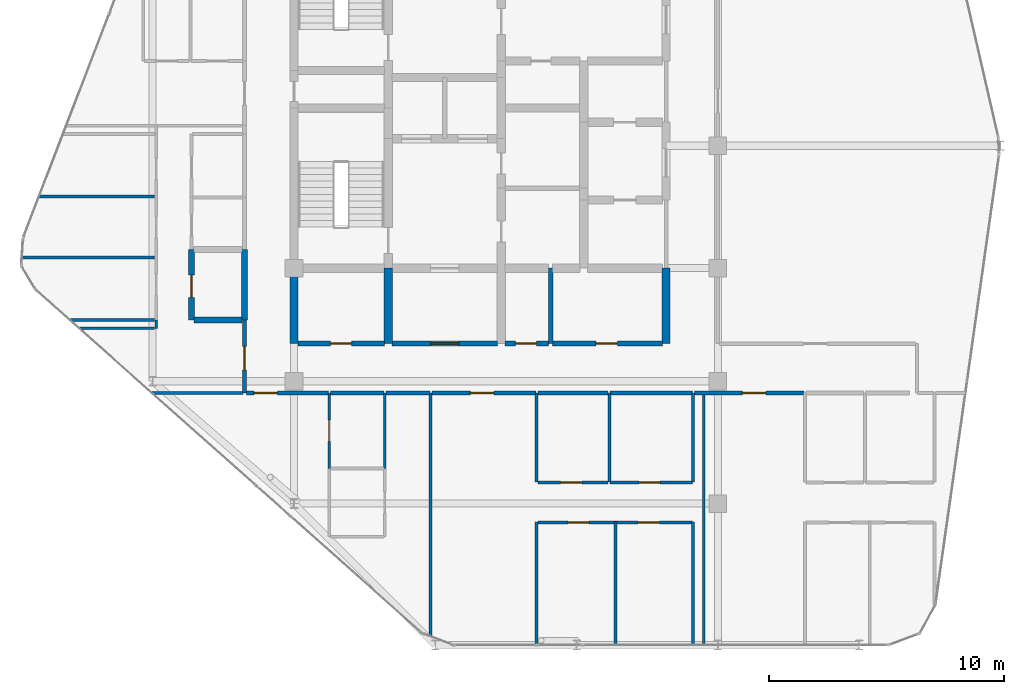
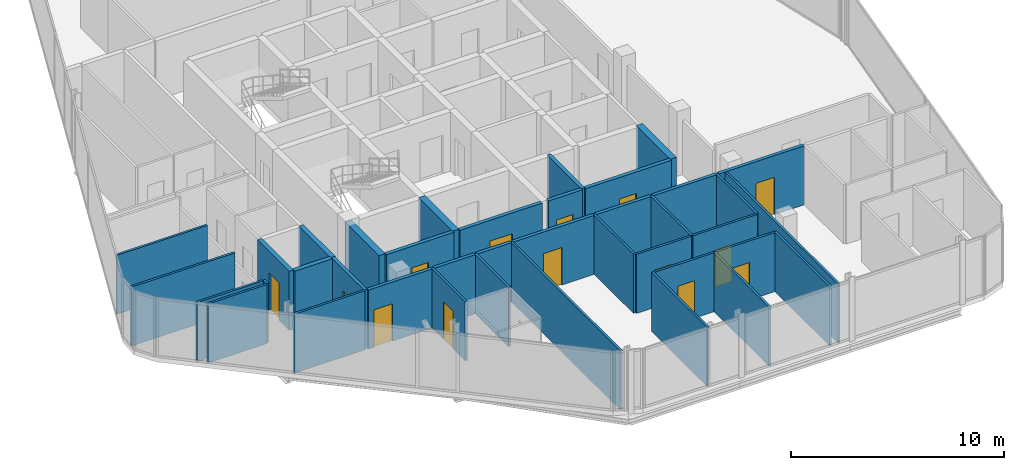
# One storey, part 22 of 27: 38 walls, 14 doors, 14 openings.
"""IFC4 building model written with IfcOpenShell, lengths in metres."""

from ifc_helpers import new_model, si_unit, direction, frame, frame_2d, origin, place, context, subcontext, project, spatial, rectangle, extrude, material, layer, layer_set, type_object, element, fill, save


model = new_model("IFC4")

# Units and contexts
model_context = context("Model", 3, precision=1e-05, world=origin(), true_north=direction((0.0, 1.0)))
body_context = subcontext(model_context, "Body", "Model", "MODEL_VIEW")
ifc_project = project(units=[si_unit("LENGTHUNIT", "METRE"), si_unit("AREAUNIT", "SQUARE_METRE"), si_unit("VOLUMEUNIT", "CUBIC_METRE"), si_unit("PLANEANGLEUNIT", "RADIAN"), si_unit("MASSUNIT", "GRAM", prefix="KILO")], contexts=[model_context])

# Site, building, storey
site_placement = place(None, origin())
site = spatial("IfcSite", under=ifc_project, at=site_placement, CompositionType="ELEMENT")
building_placement = place(site_placement, origin())
building = spatial("IfcBuilding", under=site, at=building_placement, Name="Keshet Zoharim Tower", CompositionType="ELEMENT")
storey_placement = place(building_placement, frame((0.0, 0.0, 254.699951171875)))
storey = spatial("IfcBuildingStorey", under=building, at=storey_placement, Name="L63", CompositionType="ELEMENT", Elevation=254.699951171875)

# Walls
ifc_material_1 = material(Name="Concrete C60/75", Category="concrete")
ifc_layer_1 = layer(ifc_material_1, 0.35009765625)
ifc_layer_set_1 = layer_set([ifc_layer_1], Name="Concrete C60/75")
wall_type_1 = type_object("IfcWallType", Name="WL-CORE-350", PredefinedType="SHEAR", material=ifc_layer_set_1)
for number, where, z_axis, x_axis, name in (
    (1, (15.0, 19.5, 0.0), (0.0, 0.0, 1.0), (0.0, 1.0, 0.0), "L63 Core Shear Wall 018"),
    (2, (19.0, 19.5, 0.0), (0.0, 0.0, 1.0), (0.0, 1.0, 0.0), "L63 Core Shear Wall 026"),
    (3, (30.800048828125, 19.5, 0.0), (0.0, 0.0, 1.0), (0.0, 1.0, 0.0), "L63 Core Shear Wall 054"),
):
    element("IfcWall", number, at=place(storey_placement, frame(where, z_axis=z_axis, x_axis=x_axis)), inside=storey, type_object=wall_type_1, Name=name, PredefinedType="SHEAR", context=body_context, shape_type="SweptSolid", body=[
        extrude(rectangle(XDim=3.199951171875, YDim=0.35009765625, at=frame_2d((1.60009765625, 0.0))), origin(), (0.0, 0.0, 1.0), 3.39013671875),
    ])

# Wall, opening, door
ifc_material_2 = material(Name="Gypsum Plasterboard", Category="gypsum")
ifc_layer_2 = layer(ifc_material_2, 0.179931640625)
ifc_layer_set_2 = layer_set([ifc_layer_2], Name="Gypsum Plasterboard")
wall_type_2 = type_object("IfcWallType", Name="WL-CORR-180", PredefinedType="STANDARD", material=ifc_layer_set_2)
wall_1_placement = place(storey_placement, frame((12.89990234375, 17.39990234375, 0.0), z_axis=(0.0, 0.0, 1.0), x_axis=(0.0, 1.0, 0.0)))
wall_1 = element("IfcWall", 4, at=wall_1_placement, inside=storey, type_object=wall_type_2, Name="L63 Interior Wall 009", PredefinedType="STANDARD", context=body_context, shape_type="SweptSolid", body=[
    extrude(rectangle(XDim=3.10009765625, YDim=0.179931640625, at=frame_2d((1.550048828125, 0.0))), origin(), (0.0, 0.0, 1.0), 3.39013671875),
])
opening_1_placement = place(wall_1_placement, frame((0.97802734375, 0.0, 0.0)))
opening_1 = element("IfcOpeningElement", 5, at=opening_1_placement, cuts=wall_1, Name="Opening D-F310", PredefinedType="OPENING", context=body_context, shape_type="SweptSolid", body=[
    extrude(rectangle(XDim=1.0, YDim=2.14990234375, at=frame_2d((0.5, 1.074951171875))), frame((0.0, 0.10009765625, 0.0), z_axis=(0.0, -1.0, 0.0), x_axis=(1.0, 0.0, 0.0)), (0.0, 0.0, 1.0), 0.199951171875),
])
ifc_material_3 = material(Name="Hardwood Timber", Category="wood")
door_type_1 = type_object("IfcDoorType", Name="DR-FD30-100", OperationType="NOTDEFINED", PredefinedType="DOOR", material=ifc_material_3)
door_1_placement = place(opening_1_placement, origin())
door_1 = element("IfcDoor", 6, at=door_1_placement, inside=storey, type_object=door_type_1, Name="Apartment 6305 Entrance Door", OperationType="SINGLE_SWING_LEFT", OverallHeight=2.14990234375, OverallWidth=1.0, PredefinedType="DOOR", context=body_context, shape_type="SweptSolid", body=[
    extrude(rectangle(XDim=1.0, YDim=2.14990234375, at=frame_2d((0.5, 1.074951171875))), frame((0.0, 0.02490234375, 0.0), z_axis=(0.0, -1.0, 0.0), x_axis=(1.0, 0.0, 0.0)), (0.0, 0.0, 1.0), 0.050048828125),
])
fill(opening_1, door_1)

wall_2_placement = place(storey_placement, frame((12.97509765625, 17.39990234375, 0.0), z_axis=(0.0, 0.0, 1.0), x_axis=(1.0, 0.0, 0.0)))
wall_2 = element("IfcWall", 7, at=wall_2_placement, inside=storey, type_object=wall_type_2, Name="L63 Interior Wall 081", PredefinedType="STANDARD", context=body_context, shape_type="SweptSolid", body=[
    extrude(rectangle(XDim=3.489990234375, YDim=0.179931640625, at=frame_2d((1.7451171875, 0.0))), origin(), (0.0, 0.0, 1.0), 3.39013671875),
])
opening_2_placement = place(wall_2_placement, frame((0.31591796875, 0.0, 0.0)))
opening_2 = element("IfcOpeningElement", 8, at=opening_2_placement, cuts=wall_2, Name="Opening D-F310", PredefinedType="OPENING", context=body_context, shape_type="SweptSolid", body=[
    extrude(rectangle(XDim=1.0, YDim=2.14990234375, at=frame_2d((0.5, 1.074951171875))), frame((0.0, 0.10009765625, 0.0), z_axis=(0.0, -1.0, 0.0), x_axis=(1.0, 0.0, 0.0)), (0.0, 0.0, 1.0), 0.199951171875),
])
door_2_placement = place(opening_2_placement, origin())
door_2 = element("IfcDoor", 9, at=door_2_placement, inside=storey, type_object=door_type_1, Name="Apartment 6301 Entrance Door", OperationType="SINGLE_SWING_LEFT", OverallHeight=2.14990234375, OverallWidth=1.0, PredefinedType="DOOR", context=body_context, shape_type="SweptSolid", body=[
    extrude(rectangle(XDim=1.0, YDim=2.14990234375, at=frame_2d((0.5, 1.074951171875))), frame((0.0, 0.02490234375, 0.0), z_axis=(0.0, -1.0, 0.0), x_axis=(1.0, 0.0, 0.0)), (0.0, 0.0, 1.0), 0.050048828125),
])
fill(opening_2, door_2)

# Walls
wall_3_placement = place(storey_placement, frame((16.554931640625, 17.39990234375, 0.0), z_axis=(0.0, 0.0, 1.0), x_axis=(1.0, 0.0, 0.0)))
element("IfcWall", 10, at=wall_3_placement, inside=storey, type_object=wall_type_2, Name="L63 Interior Wall 082", PredefinedType="STANDARD", context=body_context, shape_type="SweptSolid", body=[
    extrude(rectangle(XDim=2.260009765625, YDim=0.179931640625, at=frame_2d((1.1298828125, 0.0))), origin(), (0.0, 0.0, 1.0), 3.39013671875),
])
wall_4_placement = place(storey_placement, frame((18.905029296875, 17.39990234375, 0.0), z_axis=(0.0, 0.0, 1.0), x_axis=(1.0, 0.0, 0.0)))
element("IfcWall", 11, at=wall_4_placement, inside=storey, type_object=wall_type_2, Name="L63 Interior Wall 083", PredefinedType="STANDARD", context=body_context, shape_type="SweptSolid", body=[
    extrude(rectangle(XDim=1.85986328125, YDim=0.179931640625, at=frame_2d((0.929931640625, 0.0))), origin(), (0.0, 0.0, 1.0), 3.39013671875),
])

# Wall, opening, door
wall_5_placement = place(storey_placement, frame((20.85498046875, 17.39990234375, 0.0), z_axis=(0.0, 0.0, 1.0), x_axis=(1.0, 0.0, 0.0)))
wall_5 = element("IfcWall", 12, at=wall_5_placement, inside=storey, type_object=wall_type_2, Name="L63 Interior Wall 084", PredefinedType="STANDARD", context=body_context, shape_type="SweptSolid", body=[
    extrude(rectangle(XDim=4.419921875, YDim=0.179931640625, at=frame_2d((2.2099609375, 0.0))), origin(), (0.0, 0.0, 1.0), 3.39013671875),
])
opening_3_placement = place(wall_5_placement, frame((1.637939453125, 0.0, 0.0)))
opening_3 = element("IfcOpeningElement", 13, at=opening_3_placement, cuts=wall_5, Name="Opening D-F310", PredefinedType="OPENING", context=body_context, shape_type="SweptSolid", body=[
    extrude(rectangle(XDim=1.0, YDim=2.14990234375, at=frame_2d((0.5, 1.074951171875))), frame((0.0, 0.10009765625, 0.0), z_axis=(0.0, -1.0, 0.0), x_axis=(1.0, 0.0, 0.0)), (0.0, 0.0, 1.0), 0.199951171875),
])
door_3_placement = place(opening_3_placement, origin())
door_3 = element("IfcDoor", 14, at=door_3_placement, inside=storey, type_object=door_type_1, Name="Apartment 6302 Entrance Door", OperationType="SINGLE_SWING_RIGHT", OverallHeight=2.14990234375, OverallWidth=1.0, PredefinedType="DOOR", context=body_context, shape_type="SweptSolid", body=[
    extrude(rectangle(XDim=1.0, YDim=2.14990234375, at=frame_2d((0.5, 1.074951171875))), frame((0.0, 0.02490234375, 0.0), z_axis=(0.0, -1.0, 0.0), x_axis=(1.0, 0.0, 0.0)), (0.0, 0.0, 1.0), 0.050048828125),
])
fill(opening_3, door_3)

# Walls
wall_6_placement = place(storey_placement, frame((25.364990234375, 17.39990234375, 0.0), z_axis=(0.0, 0.0, 1.0), x_axis=(1.0, 0.0, 0.0)))
element("IfcWall", 15, at=wall_6_placement, inside=storey, type_object=wall_type_2, Name="L63 Interior Wall 085", PredefinedType="STANDARD", context=body_context, shape_type="SweptSolid", body=[
    extrude(rectangle(XDim=2.968994140625, YDim=0.179931640625, at=frame_2d((1.484375, 0.0))), origin(), (0.0, 0.0, 1.0), 3.39013671875),
])
wall_7_placement = place(storey_placement, frame((28.424072265625, 17.39990234375, 0.0), z_axis=(0.0, 0.0, 1.0), x_axis=(1.0, 0.0, 0.0)))
element("IfcWall", 16, at=wall_7_placement, inside=storey, type_object=wall_type_2, Name="L63 Interior Wall 086", PredefinedType="STANDARD", context=body_context, shape_type="SweptSolid", body=[
    extrude(rectangle(XDim=3.5009765625, YDim=0.179931640625, at=frame_2d((1.75048828125, 0.0))), origin(), (0.0, 0.0, 1.0), 3.39013671875),
])

# Wall, opening, door
wall_8_placement = place(storey_placement, frame((32.014892578125, 17.39990234375, 0.0), z_axis=(0.0, 0.0, 1.0), x_axis=(1.0, 0.0, 0.0)))
wall_8 = element("IfcWall", 17, at=wall_8_placement, inside=storey, type_object=wall_type_2, Name="L63 Interior Wall 087", PredefinedType="STANDARD", context=body_context, shape_type="SweptSolid", body=[
    extrude(rectangle(XDim=4.64013671875, YDim=0.179931640625, at=frame_2d((2.320068359375, 0.0))), origin(), (0.0, 0.0, 1.0), 3.39013671875),
])
opening_4_placement = place(wall_8_placement, frame((2.02001953125, 0.0, 0.0)))
opening_4 = element("IfcOpeningElement", 18, at=opening_4_placement, cuts=wall_8, Name="Opening D-F310", PredefinedType="OPENING", context=body_context, shape_type="SweptSolid", body=[
    extrude(rectangle(XDim=1.0, YDim=2.14990234375, at=frame_2d((0.5, 1.074951171875))), frame((0.0, 0.10009765625, 0.0), z_axis=(0.0, -1.0, 0.0), x_axis=(1.0, 0.0, 0.0)), (0.0, 0.0, 1.0), 0.199951171875),
])
door_4_placement = place(opening_4_placement, origin())
door_4 = element("IfcDoor", 19, at=door_4_placement, inside=storey, type_object=door_type_1, Name="Apartment 6303 Entrance Door", OperationType="SINGLE_SWING_LEFT", OverallHeight=2.14990234375, OverallWidth=1.0, PredefinedType="DOOR", context=body_context, shape_type="SweptSolid", body=[
    extrude(rectangle(XDim=1.0, YDim=2.14990234375, at=frame_2d((0.5, 1.074951171875))), frame((0.0, 0.02490234375, 0.0), z_axis=(0.0, -1.0, 0.0), x_axis=(1.0, 0.0, 0.0)), (0.0, 0.0, 1.0), 0.050048828125),
])
fill(opening_4, door_4)

# Wall
ifc_material_4 = material(Name="Concrete C50/60", Category="concrete")
ifc_layer_3 = layer(ifc_material_4, 0.199951171875)
ifc_layer_set_3 = layer_set([ifc_layer_3], Name="Concrete C50/60")
wall_type_3 = type_object("IfcWallType", Name="WL-FIRE-200", PredefinedType="STANDARD", material=ifc_layer_set_3)
wall_9_placement = place(storey_placement, frame((25.89990234375, 19.5, 0.0), z_axis=(0.0, 0.0, 1.0), x_axis=(0.0, 1.0, 0.0)))
element("IfcWall", 20, at=wall_9_placement, inside=storey, type_object=wall_type_3, Name="L63 Interior Wall 045", PredefinedType="STANDARD", context=body_context, shape_type="SweptSolid", body=[
    extrude(rectangle(XDim=3.199951171875, YDim=0.199951171875, at=frame_2d((1.60009765625, 0.0))), origin(), (0.0, 0.0, 1.0), 3.39013671875),
])

# Wall, opening, door
wall_10_placement = place(storey_placement, frame((15.159912109375, 19.5, 0.0), z_axis=(0.0, 0.0, 1.0), x_axis=(1.0, 0.0, 0.0)))
wall_10 = element("IfcWall", 21, at=wall_10_placement, inside=storey, type_object=wall_type_3, Name="L63 Interior Wall 092", PredefinedType="STANDARD", context=body_context, shape_type="SweptSolid", body=[
    extrude(rectangle(XDim=3.68017578125, YDim=0.199951171875, at=frame_2d((1.840087890625, 0.0))), origin(), (0.0, 0.0, 1.0), 3.39013671875),
])
opening_5_placement = place(wall_10_placement, frame((1.389892578125, 0.0, 0.0)))
opening_5 = element("IfcOpeningElement", 22, at=opening_5_placement, cuts=wall_10, Name="Opening D-F690", PredefinedType="OPENING", context=body_context, shape_type="SweptSolid", body=[
    extrude(rectangle(XDim=0.89990234375, YDim=2.14990234375, at=frame_2d((0.449951171875, 1.074951171875))), frame((0.0, 0.10986328125, 0.0), z_axis=(0.0, -1.0, 0.0), x_axis=(1.0, 0.0, 0.0)), (0.0, 0.0, 1.0), 0.219970703125),
])
door_type_2 = type_object("IfcDoorType", Name="DR-FD60-090", OperationType="NOTDEFINED", PredefinedType="DOOR", material=ifc_material_3)
door_5_placement = place(opening_5_placement, origin())
door_5 = element("IfcDoor", 23, at=door_5_placement, inside=storey, type_object=door_type_2, Name="L63 Refuse Room Door", OperationType="SINGLE_SWING_RIGHT", OverallHeight=2.14990234375, OverallWidth=0.89990234375, PredefinedType="DOOR", context=body_context, shape_type="SweptSolid", body=[
    extrude(rectangle(XDim=0.89990234375, YDim=2.14990234375, at=frame_2d((0.449951171875, 1.074951171875))), frame((0.0, 0.02490234375, 0.0), z_axis=(0.0, -1.0, 0.0), x_axis=(1.0, 0.0, 0.0)), (0.0, 0.0, 1.0), 0.050048828125),
])
fill(opening_5, door_5)

wall_11_placement = place(storey_placement, frame((19.159912109375, 19.5, 0.0), z_axis=(0.0, 0.0, 1.0), x_axis=(1.0, 0.0, 0.0)))
wall_11 = element("IfcWall", 24, at=wall_11_placement, inside=storey, type_object=wall_type_3, Name="L63 Interior Wall 093", PredefinedType="STANDARD", context=body_context, shape_type="SweptSolid", body=[
    extrude(rectangle(XDim=4.47998046875, YDim=0.199951171875, at=frame_2d((2.239990234375, 0.0))), origin(), (0.0, 0.0, 1.0), 3.39013671875),
])
opening_6_placement = place(wall_11_placement, frame((1.639892578125, 0.0, 0.0)))
opening_6 = element("IfcOpeningElement", 25, at=opening_6_placement, cuts=wall_11, Name="Opening D-F612", PredefinedType="OPENING", context=body_context, shape_type="SweptSolid", body=[
    extrude(rectangle(XDim=1.199951171875, YDim=2.199951171875, at=frame_2d((0.60009765625, 1.10009765625))), frame((0.0, 0.10986328125, 0.0), z_axis=(0.0, -1.0, 0.0), x_axis=(1.0, 0.0, 0.0)), (0.0, 0.0, 1.0), 0.219970703125),
])
door_type_3 = type_object("IfcDoorType", Name="DR-FD60-120", OperationType="NOTDEFINED", PredefinedType="DOOR", material=ifc_material_3)
door_6_placement = place(opening_6_placement, origin())
door_6 = element("IfcDoor", 26, at=door_6_placement, inside=storey, type_object=door_type_3, Name="L63 South Vestibule Corridor Door", OperationType="SINGLE_SWING_LEFT", OverallHeight=2.199951171875, OverallWidth=1.199951171875, PredefinedType="DOOR", context=body_context, shape_type="SweptSolid", body=[
    extrude(rectangle(XDim=1.199951171875, YDim=2.199951171875, at=frame_2d((0.60009765625, 1.10009765625))), frame((0.0, 0.02490234375, 0.0), z_axis=(0.0, -1.0, 0.0), x_axis=(1.0, 0.0, 0.0)), (0.0, 0.0, 1.0), 0.050048828125),
])
fill(opening_6, door_6)

wall_12_placement = place(storey_placement, frame((23.9599609375, 19.5, 0.0), z_axis=(0.0, 0.0, 1.0), x_axis=(1.0, 0.0, 0.0)))
wall_12 = element("IfcWall", 27, at=wall_12_placement, inside=storey, type_object=wall_type_3, Name="L63 Interior Wall 094", PredefinedType="STANDARD", context=body_context, shape_type="SweptSolid", body=[
    extrude(rectangle(XDim=1.85498046875, YDim=0.199951171875, at=frame_2d((0.927490234375, 0.0))), origin(), (0.0, 0.0, 1.0), 3.39013671875),
])
opening_7_placement = place(wall_12_placement, frame((0.43994140625, 0.0, 0.0)))
opening_7 = element("IfcOpeningElement", 28, at=opening_7_placement, cuts=wall_12, Name="Opening D-F690", PredefinedType="OPENING", context=body_context, shape_type="SweptSolid", body=[
    extrude(rectangle(XDim=0.89990234375, YDim=2.14990234375, at=frame_2d((0.449951171875, 1.074951171875))), frame((0.0, 0.10986328125, 0.0), z_axis=(0.0, -1.0, 0.0), x_axis=(1.0, 0.0, 0.0)), (0.0, 0.0, 1.0), 0.219970703125),
])
door_7_placement = place(opening_7_placement, origin())
door_7 = element("IfcDoor", 29, at=door_7_placement, inside=storey, type_object=door_type_2, Name="L63 Cleaners Store Door", OperationType="SINGLE_SWING_RIGHT", OverallHeight=2.14990234375, OverallWidth=0.89990234375, PredefinedType="DOOR", context=body_context, shape_type="SweptSolid", body=[
    extrude(rectangle(XDim=0.89990234375, YDim=2.14990234375, at=frame_2d((0.449951171875, 1.074951171875))), frame((0.0, 0.02490234375, 0.0), z_axis=(0.0, -1.0, 0.0), x_axis=(1.0, 0.0, 0.0)), (0.0, 0.0, 1.0), 0.050048828125),
])
fill(opening_7, door_7)

wall_13_placement = place(storey_placement, frame((25.985107421875, 19.5, 0.0), z_axis=(0.0, 0.0, 1.0), x_axis=(1.0, 0.0, 0.0)))
wall_13 = element("IfcWall", 30, at=wall_13_placement, inside=storey, type_object=wall_type_3, Name="L63 Interior Wall 095", PredefinedType="STANDARD", context=body_context, shape_type="SweptSolid", body=[
    extrude(rectangle(XDim=4.65478515625, YDim=0.199951171875, at=frame_2d((2.327392578125, 0.0))), origin(), (0.0, 0.0, 1.0), 3.39013671875),
])
opening_8_placement = place(wall_13_placement, frame((1.844970703125, 0.0, 0.0)))
opening_8 = element("IfcOpeningElement", 31, at=opening_8_placement, cuts=wall_13, Name="Opening D-F690", PredefinedType="OPENING", context=body_context, shape_type="SweptSolid", body=[
    extrude(rectangle(XDim=0.89990234375, YDim=2.14990234375, at=frame_2d((0.449951171875, 1.074951171875))), frame((0.0, 0.10986328125, 0.0), z_axis=(0.0, -1.0, 0.0), x_axis=(1.0, 0.0, 0.0)), (0.0, 0.0, 1.0), 0.219970703125),
])
door_8_placement = place(opening_8_placement, origin())
door_8 = element("IfcDoor", 32, at=door_8_placement, inside=storey, type_object=door_type_2, Name="L63 Meter Room Door", OperationType="SINGLE_SWING_LEFT", OverallHeight=2.14990234375, OverallWidth=0.89990234375, PredefinedType="DOOR", context=body_context, shape_type="SweptSolid", body=[
    extrude(rectangle(XDim=0.89990234375, YDim=2.14990234375, at=frame_2d((0.449951171875, 1.074951171875))), frame((0.0, 0.02490234375, 0.0), z_axis=(0.0, -1.0, 0.0), x_axis=(1.0, 0.0, 0.0)), (0.0, 0.0, 1.0), 0.050048828125),
])
fill(opening_8, door_8)

ifc_layer_4 = layer(ifc_material_4, 0.25)
ifc_layer_set_4 = layer_set([ifc_layer_4], Name="Concrete C50/60")
wall_type_4 = type_object("IfcWallType", Name="WL-MAMAD-250", PredefinedType="STANDARD", material=ifc_layer_set_4)
wall_14_placement = place(storey_placement, frame((10.64990234375, 20.5, 0.0), z_axis=(0.0, 0.0, 1.0), x_axis=(0.0, 1.0, 0.0)))
wall_14 = element("IfcWall", 33, at=wall_14_placement, inside=storey, type_object=wall_type_4, Name="L63 Interior Wall 006", PredefinedType="STANDARD", context=body_context, shape_type="SweptSolid", body=[
    extrude(rectangle(XDim=3.001953125, YDim=0.25, at=frame_2d((1.5009765625, 0.0))), origin(), (0.0, 0.0, 1.0), 3.39013671875),
])
opening_9_placement = place(wall_14_placement, frame((0.9560546875, 0.0, 0.0)))
opening_9 = element("IfcOpeningElement", 34, at=opening_9_placement, cuts=wall_14, Name="Opening D-F695", PredefinedType="OPENING", context=body_context, shape_type="SweptSolid", body=[
    extrude(rectangle(XDim=0.949951171875, YDim=2.14990234375, at=frame_2d((0.47509765625, 1.074951171875))), frame((0.0, 0.135009765625, 0.0), z_axis=(0.0, -1.0, 0.0), x_axis=(1.0, 0.0, 0.0)), (0.0, 0.0, 1.0), 0.27001953125),
])
door_type_4 = type_object("IfcDoorType", Name="DR-FD60-095", OperationType="NOTDEFINED", PredefinedType="DOOR", material=ifc_material_3)
door_9_placement = place(opening_9_placement, origin())
door_9 = element("IfcDoor", 35, at=door_9_placement, inside=storey, type_object=door_type_4, Name="Apartment 6305 Study and Shelter Room Door", OperationType="SINGLE_SWING_RIGHT", OverallHeight=2.14990234375, OverallWidth=0.949951171875, PredefinedType="DOOR", context=body_context, shape_type="SweptSolid", body=[
    extrude(rectangle(XDim=0.949951171875, YDim=2.14990234375, at=frame_2d((0.47509765625, 1.074951171875))), frame((0.0, 0.02490234375, 0.0), z_axis=(0.0, -1.0, 0.0), x_axis=(1.0, 0.0, 0.0)), (0.0, 0.0, 1.0), 0.050048828125),
])
fill(opening_9, door_9)

# Walls
wall_15_placement = place(storey_placement, frame((12.89990234375, 20.5, 0.0), z_axis=(0.0, 0.0, 1.0), x_axis=(0.0, 1.0, 0.0)))
element("IfcWall", 36, at=wall_15_placement, inside=storey, type_object=wall_type_4, Name="L63 Interior Wall 010", PredefinedType="STANDARD", context=body_context, shape_type="SweptSolid", body=[
    extrude(rectangle(XDim=3.001953125, YDim=0.25, at=frame_2d((1.5009765625, 0.0))), origin(), (0.0, 0.0, 1.0), 3.39013671875),
])
wall_16_placement = place(storey_placement, frame((10.760009765625, 20.5, 0.0), z_axis=(0.0, 0.0, 1.0), x_axis=(1.0, 0.0, 0.0)))
element("IfcWall", 37, at=wall_16_placement, inside=storey, type_object=wall_type_4, Name="L63 Interior Wall 099", PredefinedType="STANDARD", context=body_context, shape_type="SweptSolid", body=[
    extrude(rectangle(XDim=2.030029296875, YDim=0.25, at=frame_2d((1.01513671875, 0.0))), origin(), (0.0, 0.0, 1.0), 3.39013671875),
])
ifc_layer_5 = layer(ifc_material_2, 0.1201171875)
ifc_layer_set_5 = layer_set([ifc_layer_5], Name="Gypsum Plasterboard")
wall_type_5 = type_object("IfcWallType", Name="WL-PART-120", PredefinedType="PARTITIONING", material=ifc_layer_set_5)
wall_17_placement = place(storey_placement, frame((9.14990234375, 20.14990234375, 0.0), z_axis=(0.0, 0.0, 1.0), x_axis=(0.0, 1.0, 0.0)))
element("IfcWall", 38, at=wall_17_placement, inside=storey, type_object=wall_type_5, Name="L63 Interior Wall 002", PredefinedType="PARTITIONING", context=body_context, shape_type="SweptSolid", body=[
    extrude(rectangle(XDim=0.35009765625, YDim=0.1201171875, at=frame_2d((0.175048828125, 0.0))), origin(), (0.0, 0.0, 1.0), 3.39013671875),
])

# Wall, opening, door
wall_18_placement = place(storey_placement, frame((16.5, 14.199951171875, 0.0), z_axis=(0.0, 0.0, 1.0), x_axis=(0.0, 1.0, 0.0)))
wall_18 = element("IfcWall", 39, at=wall_18_placement, inside=storey, type_object=wall_type_5, Name="L63 Interior Wall 023", PredefinedType="PARTITIONING", context=body_context, shape_type="SweptSolid", body=[
    extrude(rectangle(XDim=3.199951171875, YDim=0.1201171875, at=frame_2d((1.60009765625, 0.0))), origin(), (0.0, 0.0, 1.0), 3.39013671875),
])
opening_10_placement = place(wall_18_placement, frame((1.14990234375, 0.0, 0.0)))
opening_10 = element("IfcOpeningElement", 40, at=opening_10_placement, cuts=wall_18, Name="Opening D-IN90", PredefinedType="OPENING", context=body_context, shape_type="SweptSolid", body=[
    extrude(rectangle(XDim=0.89990234375, YDim=2.14990234375, at=frame_2d((0.449951171875, 1.074951171875))), frame((0.0, 0.070068359375, 0.0), z_axis=(0.0, -1.0, 0.0), x_axis=(1.0, 0.0, 0.0)), (0.0, 0.0, 1.0), 0.14013671875),
])
door_type_5 = type_object("IfcDoorType", Name="DR-INT-090", OperationType="NOTDEFINED", PredefinedType="DOOR", material=ifc_material_3)
door_10_placement = place(opening_10_placement, origin())
door_10 = element("IfcDoor", 41, at=door_10_placement, inside=storey, type_object=door_type_5, Name="Apartment 6301 Kitchenette Door", OperationType="SINGLE_SWING_RIGHT", OverallHeight=2.14990234375, OverallWidth=0.89990234375, PredefinedType="DOOR", context=body_context, shape_type="SweptSolid", body=[
    extrude(rectangle(XDim=0.89990234375, YDim=2.14990234375, at=frame_2d((0.449951171875, 1.074951171875))), frame((0.0, 0.02490234375, 0.0), z_axis=(0.0, -1.0, 0.0), x_axis=(1.0, 0.0, 0.0)), (0.0, 0.0, 1.0), 0.050048828125),
])
fill(opening_10, door_10)

# Walls
wall_19_placement = place(storey_placement, frame((18.85009765625, 14.199951171875, 0.0), z_axis=(0.0, 0.0, 1.0), x_axis=(0.0, 1.0, 0.0)))
element("IfcWall", 42, at=wall_19_placement, inside=storey, type_object=wall_type_5, Name="L63 Interior Wall 025", PredefinedType="PARTITIONING", context=body_context, shape_type="SweptSolid", body=[
    extrude(rectangle(XDim=3.199951171875, YDim=0.1201171875, at=frame_2d((1.60009765625, 0.0))), origin(), (0.0, 0.0, 1.0), 3.39013671875),
])
wall_20_placement = place(storey_placement, frame((20.800048828125, 7.074951171875, 0.0), z_axis=(0.0, 0.0, 1.0), x_axis=(0.0, 1.0, 0.0)))
element("IfcWall", 43, at=wall_20_placement, inside=storey, type_object=wall_type_5, Name="L63 Interior Wall 031", PredefinedType="PARTITIONING", context=body_context, shape_type="SweptSolid", body=[
    extrude(rectangle(XDim=10.324951171875, YDim=0.1201171875, at=frame_2d((5.16259765625, 0.0))), origin(), (0.0, 0.0, 1.0), 3.39013671875),
])
wall_21_placement = place(storey_placement, frame((25.300048828125, 6.7099609375, 0.0), z_axis=(0.0, 0.0, 1.0), x_axis=(0.0, 1.0, 0.0)))
element("IfcWall", 44, at=wall_21_placement, inside=storey, type_object=wall_type_5, Name="L63 Interior Wall 043", PredefinedType="PARTITIONING", context=body_context, shape_type="SweptSolid", body=[
    extrude(rectangle(XDim=5.2099609375, YDim=0.1201171875, at=frame_2d((2.60498046875, 0.0))), origin(), (0.0, 0.0, 1.0), 3.39013671875),
])
wall_22_placement = place(storey_placement, frame((25.300048828125, 13.6201171875, 0.0), z_axis=(0.0, 0.0, 1.0), x_axis=(0.0, 1.0, 0.0)))
element("IfcWall", 45, at=wall_22_placement, inside=storey, type_object=wall_type_5, Name="L63 Interior Wall 044", PredefinedType="PARTITIONING", context=body_context, shape_type="SweptSolid", body=[
    extrude(rectangle(XDim=3.77978515625, YDim=0.1201171875, at=frame_2d((1.889892578125, 0.0))), origin(), (0.0, 0.0, 1.0), 3.39013671875),
])
for number, where, z_axis, x_axis, name in (
    (46, (28.64990234375, 6.7099609375, 0.0), (0.0, 0.0, 1.0), (0.0, 1.0, 0.0), "L63 Interior Wall 052"),
    (47, (31.949951171875, 6.7099609375, 0.0), (0.0, 0.0, 1.0), (0.0, 1.0, 0.0), "L63 Interior Wall 060"),
):
    element("IfcWall", number, at=place(storey_placement, frame(where, z_axis=z_axis, x_axis=x_axis)), inside=storey, type_object=wall_type_5, Name=name, PredefinedType="PARTITIONING", context=body_context, shape_type="SweptSolid", body=[
        extrude(rectangle(XDim=5.2099609375, YDim=0.1201171875, at=frame_2d((2.60498046875, 0.0))), origin(), (0.0, 0.0, 1.0), 3.39013671875),
    ])
wall_23_placement = place(storey_placement, frame((32.39990234375, 6.7099609375, 0.0), z_axis=(0.0, 0.0, 1.0), x_axis=(0.0, 1.0, 0.0)))
element("IfcWall", 48, at=wall_23_placement, inside=storey, type_object=wall_type_5, Name="L63 Interior Wall 062", PredefinedType="PARTITIONING", context=body_context, shape_type="SweptSolid", body=[
    extrude(rectangle(XDim=10.68994140625, YDim=0.1201171875, at=frame_2d((5.344970703125, 0.0))), origin(), (0.0, 0.0, 1.0), 3.39013671875),
])

# Wall, openings, doors
wall_24_placement = place(storey_placement, frame((25.364990234375, 11.89990234375, 0.0), z_axis=(0.0, 0.0, 1.0), x_axis=(1.0, 0.0, 0.0)))
wall_24 = element("IfcWall", 49, at=wall_24_placement, inside=storey, type_object=wall_type_5, Name="L63 Interior Wall 073", PredefinedType="PARTITIONING", context=body_context, shape_type="SweptSolid", body=[
    extrude(rectangle(XDim=6.56005859375, YDim=0.1201171875, at=frame_2d((3.280029296875, 0.0))), origin(), (0.0, 0.0, 1.0), 3.39013671875),
])
opening_11_placement = place(wall_24_placement, frame((1.27099609375, 0.0, 0.0)))
opening_11 = element("IfcOpeningElement", 50, at=opening_11_placement, cuts=wall_24, Name="Opening D-IN90", PredefinedType="OPENING", context=body_context, shape_type="SweptSolid", body=[
    extrude(rectangle(XDim=0.89990234375, YDim=2.14990234375, at=frame_2d((0.449951171875, 1.074951171875))), frame((0.0, 0.070068359375, 0.0), z_axis=(0.0, -1.0, 0.0), x_axis=(1.0, 0.0, 0.0)), (0.0, 0.0, 1.0), 0.14013671875),
])
opening_12_placement = place(wall_24_placement, frame((4.24609375, 0.0, 0.0)))
opening_12 = element("IfcOpeningElement", 51, at=opening_12_placement, cuts=wall_24, Name="Opening D-IN90", PredefinedType="OPENING", context=body_context, shape_type="SweptSolid", body=[
    extrude(rectangle(XDim=0.89990234375, YDim=2.14990234375, at=frame_2d((0.449951171875, 1.074951171875))), frame((0.0, 0.070068359375, 0.0), z_axis=(0.0, -1.0, 0.0), x_axis=(1.0, 0.0, 0.0)), (0.0, 0.0, 1.0), 0.14013671875),
])
door_11_placement = place(opening_11_placement, origin())
door_11 = element("IfcDoor", 52, at=door_11_placement, inside=storey, type_object=door_type_5, Name="Apartment 6302 Bedroom 1 Door", OperationType="SINGLE_SWING_LEFT", OverallHeight=2.14990234375, OverallWidth=0.89990234375, PredefinedType="DOOR", context=body_context, shape_type="SweptSolid", body=[
    extrude(rectangle(XDim=0.89990234375, YDim=2.14990234375, at=frame_2d((0.449951171875, 1.074951171875))), frame((0.0, 0.02490234375, 0.0), z_axis=(0.0, -1.0, 0.0), x_axis=(1.0, 0.0, 0.0)), (0.0, 0.0, 1.0), 0.050048828125),
])
fill(opening_11, door_11)
door_12_placement = place(opening_12_placement, origin())
door_12 = element("IfcDoor", 53, at=door_12_placement, inside=storey, type_object=door_type_5, Name="Apartment 6302 Bedroom 2 Door", OperationType="SINGLE_SWING_RIGHT", OverallHeight=2.14990234375, OverallWidth=0.89990234375, PredefinedType="DOOR", context=body_context, shape_type="SweptSolid", body=[
    extrude(rectangle(XDim=0.89990234375, YDim=2.14990234375, at=frame_2d((0.449951171875, 1.074951171875))), frame((0.0, 0.02490234375, 0.0), z_axis=(0.0, -1.0, 0.0), x_axis=(1.0, 0.0, 0.0)), (0.0, 0.0, 1.0), 0.050048828125),
])
fill(opening_12, door_12)

# Wall, opening, door
wall_25_placement = place(storey_placement, frame((25.364990234375, 13.60009765625, 0.0), z_axis=(0.0, 0.0, 1.0), x_axis=(1.0, 0.0, 0.0)))
wall_25 = element("IfcWall", 54, at=wall_25_placement, inside=storey, type_object=wall_type_5, Name="L63 Interior Wall 075", PredefinedType="PARTITIONING", context=body_context, shape_type="SweptSolid", body=[
    extrude(rectangle(XDim=2.968994140625, YDim=0.1201171875, at=frame_2d((1.484375, 0.0))), origin(), (0.0, 0.0, 1.0), 3.39013671875),
])
opening_13_placement = place(wall_25_placement, frame((0.9599609375, 0.0, 0.0)))
opening_13 = element("IfcOpeningElement", 55, at=opening_13_placement, cuts=wall_25, Name="Opening D-IN90", PredefinedType="OPENING", context=body_context, shape_type="SweptSolid", body=[
    extrude(rectangle(XDim=0.89990234375, YDim=2.14990234375, at=frame_2d((0.449951171875, 1.074951171875))), frame((0.0, 0.070068359375, 0.0), z_axis=(0.0, -1.0, 0.0), x_axis=(1.0, 0.0, 0.0)), (0.0, 0.0, 1.0), 0.14013671875),
])
door_13_placement = place(opening_13_placement, origin())
door_13 = element("IfcDoor", 56, at=door_13_placement, inside=storey, type_object=door_type_5, Name="Apartment 6302 Kitchen Door", OperationType="SINGLE_SWING_LEFT", OverallHeight=2.14990234375, OverallWidth=0.89990234375, PredefinedType="DOOR", context=body_context, shape_type="SweptSolid", body=[
    extrude(rectangle(XDim=0.89990234375, YDim=2.14990234375, at=frame_2d((0.449951171875, 1.074951171875))), frame((0.0, 0.02490234375, 0.0), z_axis=(0.0, -1.0, 0.0), x_axis=(1.0, 0.0, 0.0)), (0.0, 0.0, 1.0), 0.050048828125),
])
fill(opening_13, door_13)

# Walls
wall_26_placement = place(storey_placement, frame((8.972900390625, 17.39990234375, 0.0), z_axis=(0.0, 0.0, 1.0), x_axis=(1.0, 0.0, 0.0)))
element("IfcWall", 57, at=wall_26_placement, inside=storey, type_object=wall_type_5, Name="L63 Interior Wall 080", PredefinedType="PARTITIONING", context=body_context, shape_type="SweptSolid", body=[
    extrude(rectangle(XDim=3.85205078125, YDim=0.1201171875, at=frame_2d((1.926025390625, 0.0))), origin(), (0.0, 0.0, 1.0), 3.39013671875),
])
wall_27_placement = place(storey_placement, frame((5.87890625, 20.14990234375, 0.0), z_axis=(0.0, 0.0, 1.0), x_axis=(1.0, 0.0, 0.0)))
element("IfcWall", 58, at=wall_27_placement, inside=storey, type_object=wall_type_5, Name="L63 Interior Wall 097", PredefinedType="PARTITIONING", context=body_context, shape_type="SweptSolid", body=[
    extrude(rectangle(XDim=3.2060546875, YDim=0.1201171875, at=frame_2d((1.60302734375, 0.0))), origin(), (0.0, 0.0, 1.0), 3.39013671875),
])
wall_28_placement = place(storey_placement, frame((5.485107421875, 20.5, 0.0), z_axis=(0.0, 0.0, 1.0), x_axis=(1.0, 0.0, 0.0)))
element("IfcWall", 59, at=wall_28_placement, inside=storey, type_object=wall_type_5, Name="L63 Interior Wall 098", PredefinedType="PARTITIONING", context=body_context, shape_type="SweptSolid", body=[
    extrude(rectangle(XDim=3.599853515625, YDim=0.1201171875, at=frame_2d((1.7998046875, 0.0))), origin(), (0.0, 0.0, 1.0), 3.39013671875),
])
wall_29_placement = place(storey_placement, frame((3.451904296875, 23.14990234375, 0.0), z_axis=(0.0, 0.0, 1.0), x_axis=(1.0, 0.0, 0.0)))
element("IfcWall", 60, at=wall_29_placement, inside=storey, type_object=wall_type_5, Name="L63 Interior Wall 105", PredefinedType="PARTITIONING", context=body_context, shape_type="SweptSolid", body=[
    extrude(rectangle(XDim=5.633056640625, YDim=0.1201171875, at=frame_2d((2.81640625, 0.0))), origin(), (0.0, 0.0, 1.0), 3.39013671875),
])
wall_30_placement = place(storey_placement, frame((4.18310546875, 25.75, 0.0), z_axis=(0.0, 0.0, 1.0), x_axis=(1.0, 0.0, 0.0)))
element("IfcWall", 61, at=wall_30_placement, inside=storey, type_object=wall_type_5, Name="L63 Interior Wall 109", PredefinedType="PARTITIONING", context=body_context, shape_type="SweptSolid", body=[
    extrude(rectangle(XDim=4.90185546875, YDim=0.1201171875, at=frame_2d((2.450927734375, 0.0))), origin(), (0.0, 0.0, 1.0), 3.39013671875),
])
ifc_layer_6 = layer(ifc_material_2, 0.1201171875)
ifc_layer_set_6 = layer_set([ifc_layer_6], Name="Gypsum Plasterboard")
wall_type_6 = type_object("IfcWallType", Name="WL-WET-120", PredefinedType="PARTITIONING", material=ifc_layer_set_6)
for number, where, z_axis, x_axis, name in (
    (62, (28.39990234375, 13.6201171875, 0.0), (0.0, 0.0, 1.0), (0.0, 1.0, 0.0), "L63 Interior Wall 051"),
    (63, (31.949951171875, 13.6201171875, 0.0), (0.0, 0.0, 1.0), (0.0, 1.0, 0.0), "L63 Interior Wall 061"),
):
    element("IfcWall", number, at=place(storey_placement, frame(where, z_axis=z_axis, x_axis=x_axis)), inside=storey, type_object=wall_type_6, Name=name, PredefinedType="PARTITIONING", context=body_context, shape_type="SweptSolid", body=[
        extrude(rectangle(XDim=3.77978515625, YDim=0.1201171875, at=frame_2d((1.889892578125, 0.0))), origin(), (0.0, 0.0, 1.0), 3.39013671875),
    ])

# Wall, opening, door
wall_31_placement = place(storey_placement, frame((28.424072265625, 13.60009765625, 0.0), z_axis=(0.0, 0.0, 1.0), x_axis=(1.0, 0.0, 0.0)))
wall_31 = element("IfcWall", 64, at=wall_31_placement, inside=storey, type_object=wall_type_6, Name="L63 Interior Wall 076", PredefinedType="PARTITIONING", context=body_context, shape_type="SweptSolid", body=[
    extrude(rectangle(XDim=3.5009765625, YDim=0.1201171875, at=frame_2d((1.75048828125, 0.0))), origin(), (0.0, 0.0, 1.0), 3.39013671875),
])
opening_14_placement = place(wall_31_placement, frame((1.22802734375, 0.0, 0.0)))
opening_14 = element("IfcOpeningElement", 65, at=opening_14_placement, cuts=wall_31, Name="Opening D-WT90", PredefinedType="OPENING", context=body_context, shape_type="SweptSolid", body=[
    extrude(rectangle(XDim=0.89990234375, YDim=2.10009765625, at=frame_2d((0.449951171875, 1.050048828125))), frame((0.0, 0.070068359375, 0.0), z_axis=(0.0, -1.0, 0.0), x_axis=(1.0, 0.0, 0.0)), (0.0, 0.0, 1.0), 0.14013671875),
])
door_type_6 = type_object("IfcDoorType", Name="DR-WET-090", OperationType="NOTDEFINED", PredefinedType="DOOR", material=ifc_material_3)
door_14_placement = place(opening_14_placement, origin())
door_14 = element("IfcDoor", 66, at=door_14_placement, inside=storey, type_object=door_type_6, Name="Apartment 6302 Bathroom Door", OperationType="SINGLE_SWING_RIGHT", OverallHeight=2.10009765625, OverallWidth=0.89990234375, PredefinedType="DOOR", context=body_context, shape_type="SweptSolid", body=[
    extrude(rectangle(XDim=0.89990234375, YDim=2.10009765625, at=frame_2d((0.449951171875, 1.050048828125))), frame((0.0, 0.02490234375, 0.0), z_axis=(0.0, -1.0, 0.0), x_axis=(1.0, 0.0, 0.0)), (0.0, 0.0, 1.0), 0.050048828125),
])
fill(opening_14, door_14)

save(model, "model.ifc")
